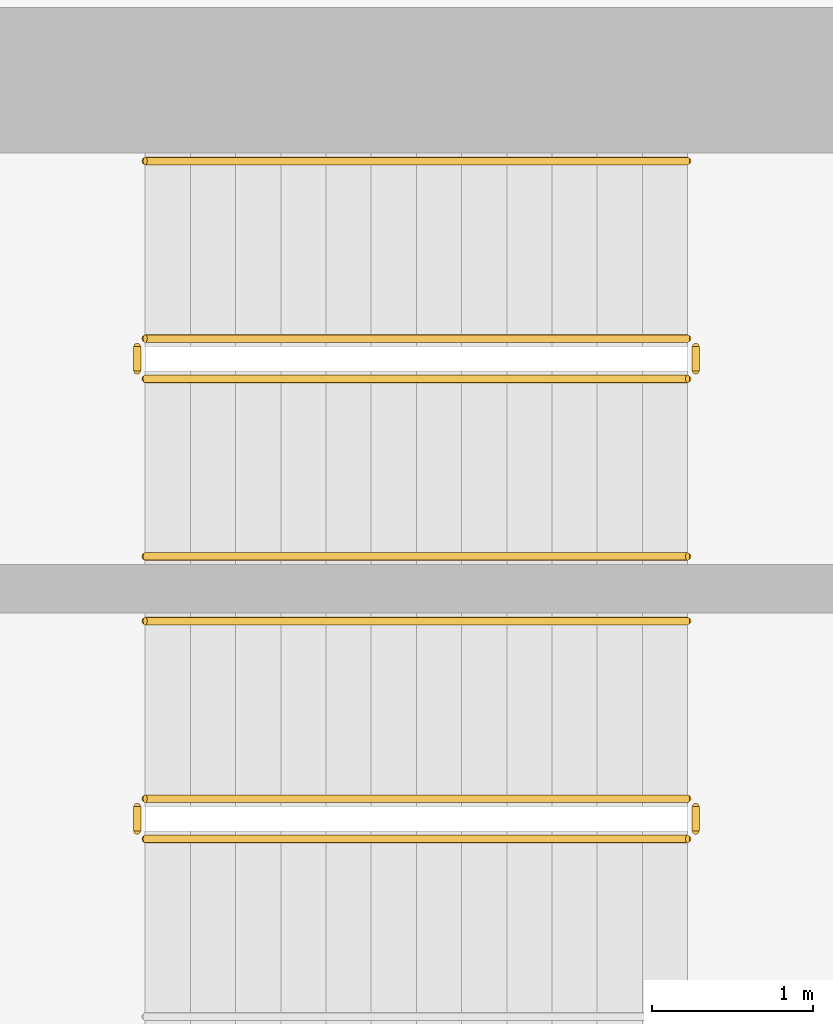
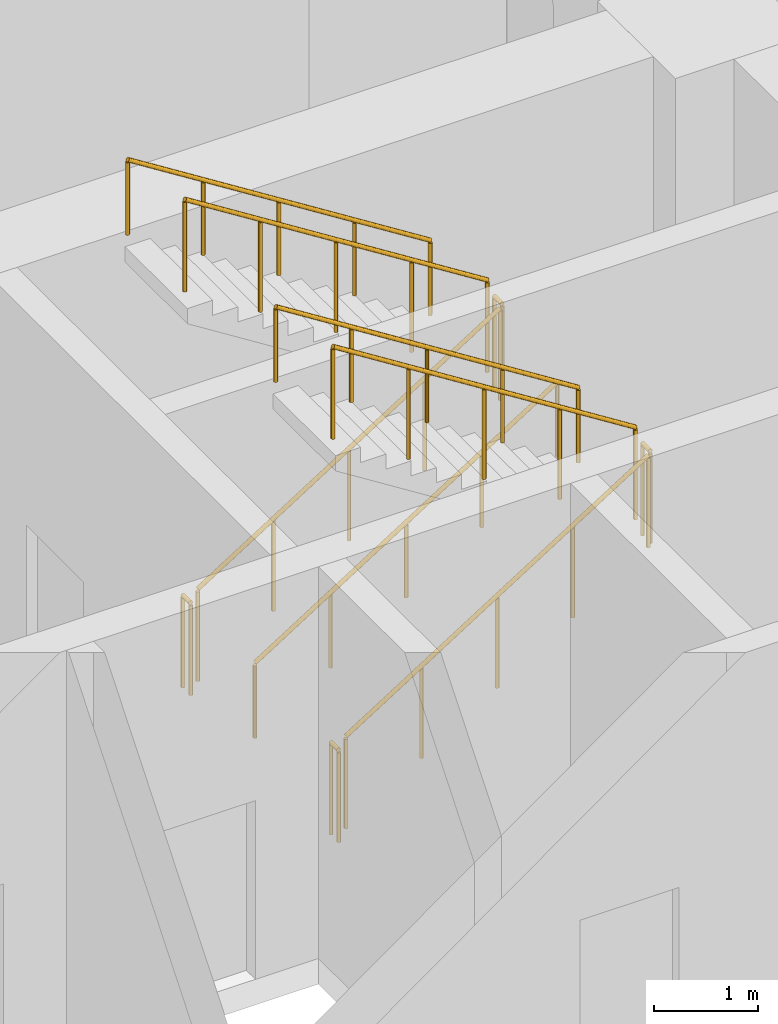
# One storey, part 16 of 17: 11 railings.
"""IFC4 building model written with IfcOpenShell, lengths in metres."""

from ifc_helpers import new_model, si_unit, direction, frame, origin, origin_2d, place, context, subcontext, project, spatial, circle, extrude, material, type_object, element, save


model = new_model("IFC4")

# Units and contexts
model_context = context("Model", 3, precision=1e-05, world=origin(), true_north=direction((0.0, 1.0)))
body_context = subcontext(model_context, "Body", "Model", "MODEL_VIEW")
ifc_project = project(units=[si_unit("LENGTHUNIT", "METRE"), si_unit("AREAUNIT", "SQUARE_METRE"), si_unit("VOLUMEUNIT", "CUBIC_METRE"), si_unit("PLANEANGLEUNIT", "RADIAN"), si_unit("MASSUNIT", "GRAM", prefix="KILO")], contexts=[model_context])

# Site, building, storey
site_placement = place(None, origin())
site = spatial("IfcSite", under=ifc_project, at=site_placement, CompositionType="ELEMENT")
building_placement = place(site_placement, origin())
building = spatial("IfcBuilding", under=site, at=building_placement, Name="Ostrand Prow Hotel Tower", CompositionType="ELEMENT")
storey_placement = place(building_placement, frame((0.0, 0.0, 125.60009765625)))
storey = spatial("IfcBuildingStorey", under=building, at=storey_placement, Name="L30", CompositionType="ELEMENT", Elevation=125.60009765625)

# Railings
ifc_material_1 = material(Name="Painted steel", Category="steel")
railing_type_1 = type_object("IfcRailingType", Name="Stair guard 1100", PredefinedType="GUARDRAIL", material=ifc_material_1)
railing_1_placement = place(storey_placement, frame((57.199951171875, 11.5, 0.1767578125)))
element("IfcRailing", 1, at=railing_1_placement, inside=storey, type_object=railing_type_1, Name="L30 ST1C stair guard 1", PredefinedType="GUARDRAIL", context=body_context, shape_type="SweptSolid", body=[
    extrude(circle(Radius=0.02392578125, at=origin_2d()), frame((0.0, 0.0, 1.076171875), z_axis=(0.845389635667, 0.0, 0.534150132366), x_axis=(0.0, 1.0, 0.0)), (0.0, 0.0, 1.0), 3.974609375),
    extrude(circle(Radius=0.02099609375, at=origin_2d()), origin(), (0.0, 0.0, 1.0), 1.052001953125),
    extrude(circle(Radius=0.02099609375, at=origin_2d()), frame((0.840087890625, 0.0, 0.53076171875)), (0.0, 0.0, 1.0), 1.052001953125),
    extrude(circle(Radius=0.02099609375, at=origin_2d()), frame((1.68017578125, 0.0, 1.0615234375)), (0.0, 0.0, 1.0), 1.052001953125),
    extrude(circle(Radius=0.02099609375, at=origin_2d()), frame((2.52001953125, 0.0, 1.59228515625)), (0.0, 0.0, 1.0), 1.052001953125),
    extrude(circle(Radius=0.02099609375, at=origin_2d()), frame((3.360107421875, 0.0, 2.123046875)), (0.0, 0.0, 1.0), 1.052001953125),
])
railing_2_placement = place(storey_placement, frame((60.610107421875, 11.550048828125, 2.2998046875)))
element("IfcRailing", 2, at=railing_2_placement, inside=storey, type_object=railing_type_1, Name="L30 ST1C stair guard 2", PredefinedType="GUARDRAIL", context=body_context, shape_type="SweptSolid", body=[
    extrude(circle(Radius=0.02392578125, at=origin_2d()), frame((0.0, 0.0, 1.076171875), z_axis=(0.0, 1.0, 0.0), x_axis=(-1.0, 0.0, 0.0)), (0.0, 0.0, 1.0), 0.14990234375),
    extrude(circle(Radius=0.02099609375, at=origin_2d()), origin(), (0.0, 0.0, 1.0), 1.052001953125),
    extrude(circle(Radius=0.02099609375, at=origin_2d()), frame((0.0, 0.14990234375, 0.0)), (0.0, 0.0, 1.0), 1.052001953125),
])
railing_3_placement = place(storey_placement, frame((60.56005859375, 11.75, 2.476806640625)))
element("IfcRailing", 3, at=railing_3_placement, inside=storey, type_object=railing_type_1, Name="L30 ST1C stair guard 3", PredefinedType="GUARDRAIL", context=body_context, shape_type="SweptSolid", body=[
    extrude(circle(Radius=0.02392578125, at=origin_2d()), frame((0.0, 0.0, 1.076171875), z_axis=(-0.845389635667, 0.0, 0.534150132366), x_axis=(0.0, -1.0, 0.0)), (0.0, 0.0, 1.0), 3.974609375),
    extrude(circle(Radius=0.02099609375, at=origin_2d()), origin(), (0.0, 0.0, 1.0), 1.052001953125),
    extrude(circle(Radius=0.02099609375, at=origin_2d()), frame((-0.840087890625, 0.0, 0.53076171875)), (0.0, 0.0, 1.0), 1.052001953125),
    extrude(circle(Radius=0.02099609375, at=origin_2d()), frame((-1.68017578125, 0.0, 1.0615234375)), (0.0, 0.0, 1.0), 1.052001953125),
    extrude(circle(Radius=0.02099609375, at=origin_2d()), frame((-2.52001953125, 0.0, 1.59228515625)), (0.0, 0.0, 1.0), 1.052001953125),
    extrude(circle(Radius=0.02099609375, at=origin_2d()), frame((-3.360107421875, 0.0, 2.123046875)), (0.0, 0.0, 1.0), 1.052001953125),
])
railing_4_placement = place(storey_placement, frame((57.14990234375, 11.550048828125, 0.0)))
element("IfcRailing", 4, at=railing_4_placement, inside=storey, type_object=railing_type_1, Name="L30 ST1C stair guard 4", PredefinedType="GUARDRAIL", context=body_context, shape_type="SweptSolid", body=[
    extrude(circle(Radius=0.02392578125, at=origin_2d()), frame((0.0, 0.0, 1.076171875), z_axis=(0.0, 1.0, 0.0), x_axis=(-1.0, 0.0, 0.0)), (0.0, 0.0, 1.0), 0.14990234375),
    extrude(circle(Radius=0.02099609375, at=origin_2d()), origin(), (0.0, 0.0, 1.0), 1.052001953125),
    extrude(circle(Radius=0.02099609375, at=origin_2d()), frame((0.0, 0.14990234375, 0.0)), (0.0, 0.0, 1.0), 1.052001953125),
])
railing_5_placement = place(storey_placement, frame((57.199951171875, 14.35009765625, 0.1767578125)))
element("IfcRailing", 5, at=railing_5_placement, inside=storey, type_object=railing_type_1, Name="L30 ST3C stair guard 1", PredefinedType="GUARDRAIL", context=body_context, shape_type="SweptSolid", body=[
    extrude(circle(Radius=0.02392578125, at=origin_2d()), frame((0.0, 0.0, 1.076171875), z_axis=(0.845389635667, 0.0, 0.534150132366), x_axis=(0.0, 1.0, 0.0)), (0.0, 0.0, 1.0), 3.974609375),
    extrude(circle(Radius=0.02099609375, at=origin_2d()), origin(), (0.0, 0.0, 1.0), 1.052001953125),
    extrude(circle(Radius=0.02099609375, at=origin_2d()), frame((0.840087890625, 0.0, 0.53076171875)), (0.0, 0.0, 1.0), 1.052001953125),
    extrude(circle(Radius=0.02099609375, at=origin_2d()), frame((1.68017578125, 0.0, 1.0615234375)), (0.0, 0.0, 1.0), 1.052001953125),
    extrude(circle(Radius=0.02099609375, at=origin_2d()), frame((2.52001953125, 0.0, 1.59228515625)), (0.0, 0.0, 1.0), 1.052001953125),
    extrude(circle(Radius=0.02099609375, at=origin_2d()), frame((3.360107421875, 0.0, 2.123046875)), (0.0, 0.0, 1.0), 1.052001953125),
])
railing_6_placement = place(storey_placement, frame((60.610107421875, 14.39990234375, 2.2998046875)))
element("IfcRailing", 6, at=railing_6_placement, inside=storey, type_object=railing_type_1, Name="L30 ST3C stair guard 2", PredefinedType="GUARDRAIL", context=body_context, shape_type="SweptSolid", body=[
    extrude(circle(Radius=0.02392578125, at=origin_2d()), frame((0.0, 0.0, 1.076171875), z_axis=(0.0, 1.0, 0.0), x_axis=(-1.0, 0.0, 0.0)), (0.0, 0.0, 1.0), 0.150146484375),
    extrude(circle(Radius=0.02099609375, at=origin_2d()), origin(), (0.0, 0.0, 1.0), 1.052001953125),
    extrude(circle(Radius=0.02099609375, at=origin_2d()), frame((0.0, 0.150146484375, 0.0)), (0.0, 0.0, 1.0), 1.052001953125),
])
railing_7_placement = place(storey_placement, frame((60.56005859375, 14.60009765625, 2.476806640625)))
element("IfcRailing", 7, at=railing_7_placement, inside=storey, type_object=railing_type_1, Name="L30 ST3C stair guard 3", PredefinedType="GUARDRAIL", context=body_context, shape_type="SweptSolid", body=[
    extrude(circle(Radius=0.02392578125, at=origin_2d()), frame((0.0, 0.0, 1.076171875), z_axis=(-0.845389635667, 0.0, 0.534150132366), x_axis=(0.0, -1.0, 0.0)), (0.0, 0.0, 1.0), 3.974609375),
    extrude(circle(Radius=0.02099609375, at=origin_2d()), origin(), (0.0, 0.0, 1.0), 1.052001953125),
    extrude(circle(Radius=0.02099609375, at=origin_2d()), frame((-0.840087890625, 0.0, 0.53076171875)), (0.0, 0.0, 1.0), 1.052001953125),
    extrude(circle(Radius=0.02099609375, at=origin_2d()), frame((-1.68017578125, 0.0, 1.0615234375)), (0.0, 0.0, 1.0), 1.052001953125),
    extrude(circle(Radius=0.02099609375, at=origin_2d()), frame((-2.52001953125, 0.0, 1.59228515625)), (0.0, 0.0, 1.0), 1.052001953125),
    extrude(circle(Radius=0.02099609375, at=origin_2d()), frame((-3.360107421875, 0.0, 2.123046875)), (0.0, 0.0, 1.0), 1.052001953125),
])
railing_8_placement = place(storey_placement, frame((57.14990234375, 14.39990234375, 0.0)))
element("IfcRailing", 8, at=railing_8_placement, inside=storey, type_object=railing_type_1, Name="L30 ST3C stair guard 4", PredefinedType="GUARDRAIL", context=body_context, shape_type="SweptSolid", body=[
    extrude(circle(Radius=0.02392578125, at=origin_2d()), frame((0.0, 0.0, 1.076171875), z_axis=(0.0, 1.0, 0.0), x_axis=(-1.0, 0.0, 0.0)), (0.0, 0.0, 1.0), 0.150146484375),
    extrude(circle(Radius=0.02099609375, at=origin_2d()), origin(), (0.0, 0.0, 1.0), 1.052001953125),
    extrude(circle(Radius=0.02099609375, at=origin_2d()), frame((0.0, 0.150146484375, 0.0)), (0.0, 0.0, 1.0), 1.052001953125),
])
ifc_material_2 = material(Name="Stainless steel", Category="steel")
railing_type_2 = type_object("IfcRailingType", Name="Stair handrail 900", PredefinedType="HANDRAIL", material=ifc_material_2)
railing_9_placement = place(storey_placement, frame((60.56005859375, 12.85009765625, 2.476806640625)))
element("IfcRailing", 9, at=railing_9_placement, inside=storey, type_object=railing_type_2, Name="L30 ST1C stair handrail 2", PredefinedType="HANDRAIL", context=body_context, shape_type="SweptSolid", body=[
    extrude(circle(Radius=0.02392578125, at=origin_2d()), frame((0.0, 0.0, 0.8759765625), z_axis=(-0.845389635667, 0.0, 0.534150132366), x_axis=(0.0, -1.0, 0.0)), (0.0, 0.0, 1.0), 3.974609375),
    extrude(circle(Radius=0.02099609375, at=origin_2d()), origin(), (0.0, 0.0, 1.0), 0.851806640625),
    extrude(circle(Radius=0.02099609375, at=origin_2d()), frame((-0.840087890625, 0.0, 0.53076171875)), (0.0, 0.0, 1.0), 0.851806640625),
    extrude(circle(Radius=0.02099609375, at=origin_2d()), frame((-1.68017578125, 0.0, 1.0615234375)), (0.0, 0.0, 1.0), 0.851806640625),
    extrude(circle(Radius=0.02099609375, at=origin_2d()), frame((-2.52001953125, 0.0, 1.59228515625)), (0.0, 0.0, 1.0), 0.851806640625),
    extrude(circle(Radius=0.02099609375, at=origin_2d()), frame((-3.360107421875, 0.0, 2.123046875)), (0.0, 0.0, 1.0), 0.851806640625),
])
railing_10_placement = place(storey_placement, frame((57.199951171875, 13.25, 0.1767578125)))
element("IfcRailing", 10, at=railing_10_placement, inside=storey, type_object=railing_type_2, Name="L30 ST3C stair handrail 1", PredefinedType="HANDRAIL", context=body_context, shape_type="SweptSolid", body=[
    extrude(circle(Radius=0.02392578125, at=origin_2d()), frame((0.0, 0.0, 0.8759765625), z_axis=(0.845389635667, 0.0, 0.534150132366), x_axis=(0.0, 1.0, 0.0)), (0.0, 0.0, 1.0), 3.974609375),
    extrude(circle(Radius=0.02099609375, at=origin_2d()), origin(), (0.0, 0.0, 1.0), 0.851806640625),
    extrude(circle(Radius=0.02099609375, at=origin_2d()), frame((0.840087890625, 0.0, 0.53076171875)), (0.0, 0.0, 1.0), 0.851806640625),
    extrude(circle(Radius=0.02099609375, at=origin_2d()), frame((1.68017578125, 0.0, 1.0615234375)), (0.0, 0.0, 1.0), 0.851806640625),
    extrude(circle(Radius=0.02099609375, at=origin_2d()), frame((2.52001953125, 0.0, 1.59228515625)), (0.0, 0.0, 1.0), 0.851806640625),
    extrude(circle(Radius=0.02099609375, at=origin_2d()), frame((3.360107421875, 0.0, 2.123046875)), (0.0, 0.0, 1.0), 0.851806640625),
])
railing_11_placement = place(storey_placement, frame((60.56005859375, 15.699951171875, 2.476806640625)))
element("IfcRailing", 11, at=railing_11_placement, inside=storey, type_object=railing_type_2, Name="L30 ST3C stair handrail 2", PredefinedType="HANDRAIL", context=body_context, shape_type="SweptSolid", body=[
    extrude(circle(Radius=0.02392578125, at=origin_2d()), frame((0.0, 0.0, 0.8759765625), z_axis=(-0.845389635667, 0.0, 0.534150132366), x_axis=(0.0, -1.0, 0.0)), (0.0, 0.0, 1.0), 3.974609375),
    extrude(circle(Radius=0.02099609375, at=origin_2d()), origin(), (0.0, 0.0, 1.0), 0.851806640625),
    extrude(circle(Radius=0.02099609375, at=origin_2d()), frame((-0.840087890625, 0.0, 0.53076171875)), (0.0, 0.0, 1.0), 0.851806640625),
    extrude(circle(Radius=0.02099609375, at=origin_2d()), frame((-1.68017578125, 0.0, 1.0615234375)), (0.0, 0.0, 1.0), 0.851806640625),
    extrude(circle(Radius=0.02099609375, at=origin_2d()), frame((-2.52001953125, 0.0, 1.59228515625)), (0.0, 0.0, 1.0), 0.851806640625),
    extrude(circle(Radius=0.02099609375, at=origin_2d()), frame((-3.360107421875, 0.0, 2.123046875)), (0.0, 0.0, 1.0), 0.851806640625),
])

save(model, "model.ifc")
